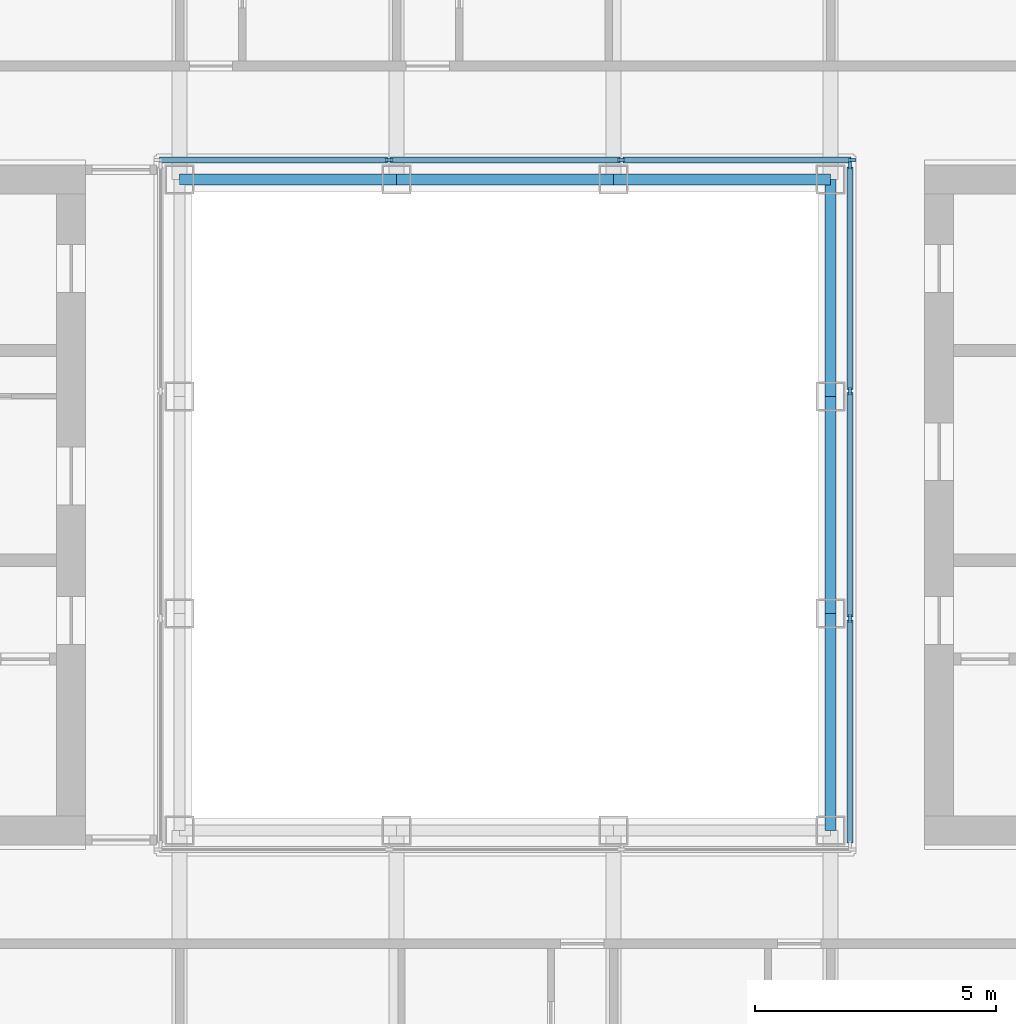
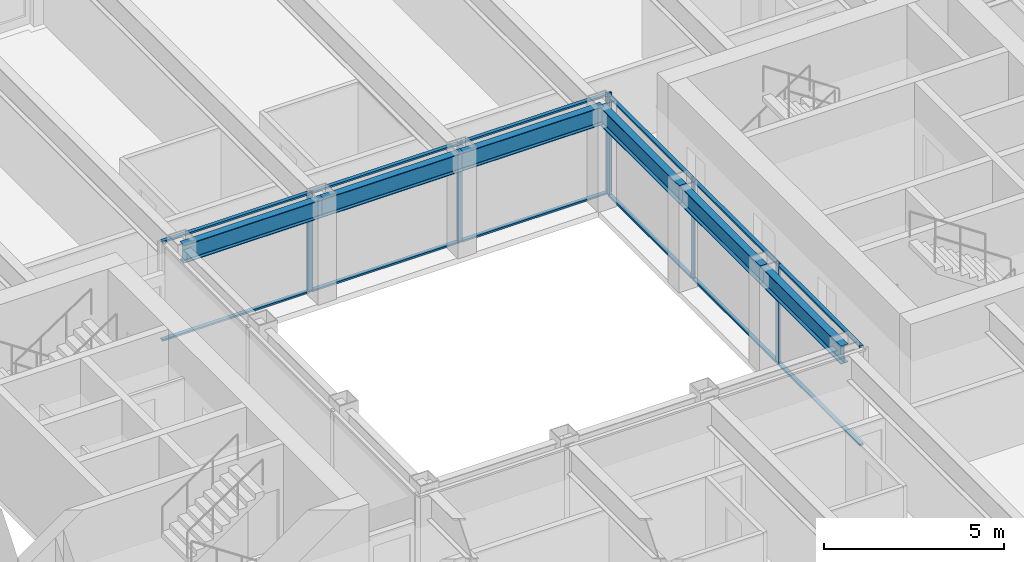
# One storey, part 5 of 17: 18 members, 6 beams, 2 elements without a shape of their own.
"""IFC4 building model written with IfcOpenShell, lengths in metres."""

from ifc_helpers import new_model, si_unit, direction, frame, origin, origin_2d, place, context, subcontext, project, spatial, rectangle, i_section, extrude, material, material_profile, profile_set, type_object, element, aggregate, save


model = new_model("IFC4")

# Units and contexts
model_context = context("Model", 3, precision=1e-05, world=origin(), true_north=direction((0.0, 1.0)))
body_context = subcontext(model_context, "Body", "Model", "MODEL_VIEW")
ifc_project = project(units=[si_unit("LENGTHUNIT", "METRE"), si_unit("AREAUNIT", "SQUARE_METRE"), si_unit("VOLUMEUNIT", "CUBIC_METRE"), si_unit("PLANEANGLEUNIT", "RADIAN"), si_unit("MASSUNIT", "GRAM", prefix="KILO")], contexts=[model_context])

# Site, building, storey
site_placement = place(None, origin())
site = spatial("IfcSite", under=ifc_project, at=site_placement, CompositionType="ELEMENT")
building_placement = place(site_placement, origin())
building = spatial("IfcBuilding", under=site, at=building_placement, Name="Msasa Ring Tower", CompositionType="ELEMENT")
storey_placement = place(building_placement, frame((0.0, 0.0, 161.60009765625)))
storey = spatial("IfcBuildingStorey", under=building, at=storey_placement, Name="L42", CompositionType="ELEMENT", Elevation=161.60009765625)

# Curtain wall, members
ifc_material_1 = material(Name="Aluminium curtain wall with clear glass", Category="aluminium")
curtain_wall_type = type_object("IfcCurtainWallType", Name="CW-W LIGHT WELL CURTAIN WALL", PredefinedType="NOTDEFINED", material=ifc_material_1)
curtain_wall_1_placement = place(storey_placement, origin())
curtain_wall_1 = element("IfcCurtainWall", 1, at=curtain_wall_1_placement, inside=storey, type_object=curtain_wall_type, Name="Light well curtain wall N L42", PredefinedType="NOTDEFINED")
ifc_material_2 = material(Name="Aluminium mullion", Category="aluminium")
ifc_material_profile_1 = material_profile(ifc_material_2, rectangle(XDim=0.06005859375, YDim=0.159912109375, at=origin_2d()), Name="AL 60x160")
ifc_profile_set_1 = profile_set([ifc_material_profile_1], Name="Aluminium mullion")
member_type_1 = type_object("IfcMemberType", Name="CW-W MULLION 60x160", PredefinedType="MULLION", material=ifc_profile_set_1)
member_1_placement = place(storey_placement, frame((-2.409912109375, 7.14990234375, 0.0), z_axis=(0.0, 0.0, 1.0), x_axis=(0.0, 1.0, 0.0)))
member_1 = element("IfcMember", 2, at=member_1_placement, type_object=member_type_1, Name="CW-W mullion 2", PredefinedType="MULLION", context=body_context, shape_type="SweptSolid", body=[
    extrude(rectangle(XDim=0.06005859375, YDim=0.159912109375, at=origin_2d()), origin(), (0.0, 0.0, 1.0), 3.39990234375),
])
member_2_placement = place(storey_placement, frame((2.409912109375, 7.14990234375, 0.0), z_axis=(0.0, 0.0, 1.0), x_axis=(0.0, 1.0, 0.0)))
member_2 = element("IfcMember", 3, at=member_2_placement, type_object=member_type_1, Name="CW-W mullion 3", PredefinedType="MULLION", context=body_context, shape_type="SweptSolid", body=[
    extrude(rectangle(XDim=0.06005859375, YDim=0.159912109375, at=origin_2d()), origin(), (0.0, 0.0, 1.0), 3.39990234375),
])
member_3_placement = place(storey_placement, frame((7.199951171875, 7.14990234375, 0.0), z_axis=(0.0, 0.0, 1.0), x_axis=(0.0, 1.0, 0.0)))
member_3 = element("IfcMember", 4, at=member_3_placement, type_object=member_type_1, Name="CW-W mullion 4", PredefinedType="MULLION", context=body_context, shape_type="SweptSolid", body=[
    extrude(rectangle(XDim=0.06005859375, YDim=0.159912109375, at=origin_2d()), origin(), (0.0, 0.0, 1.0), 3.39990234375),
])

curtain_wall_2_placement = place(storey_placement, origin())
curtain_wall_2 = element("IfcCurtainWall", 5, at=curtain_wall_2_placement, inside=storey, type_object=curtain_wall_type, Name="Light well curtain wall E L42", PredefinedType="NOTDEFINED")
member_4_placement = place(storey_placement, frame((7.14990234375, -2.356689453125, 0.0), z_axis=(0.0, 0.0, 1.0), x_axis=(-1.0, 0.0, 0.0)))
member_4 = element("IfcMember", 6, at=member_4_placement, type_object=member_type_1, Name="CW-W mullion 2", PredefinedType="MULLION", context=body_context, shape_type="SweptSolid", body=[
    extrude(rectangle(XDim=0.06005859375, YDim=0.159912109375, at=origin_2d()), origin(), (0.0, 0.0, 1.0), 3.39990234375),
])
member_5_placement = place(storey_placement, frame((7.14990234375, 2.356689453125, 0.0), z_axis=(0.0, 0.0, 1.0), x_axis=(-1.0, 0.0, 0.0)))
member_5 = element("IfcMember", 7, at=member_5_placement, type_object=member_type_1, Name="CW-W mullion 3", PredefinedType="MULLION", context=body_context, shape_type="SweptSolid", body=[
    extrude(rectangle(XDim=0.06005859375, YDim=0.159912109375, at=origin_2d()), origin(), (0.0, 0.0, 1.0), 3.39990234375),
])
member_6_placement = place(storey_placement, frame((7.14990234375, 7.0400390625, 0.0), z_axis=(0.0, 0.0, 1.0), x_axis=(-1.0, 0.0, 0.0)))
member_6 = element("IfcMember", 8, at=member_6_placement, type_object=member_type_1, Name="CW-W mullion 4", PredefinedType="MULLION", context=body_context, shape_type="SweptSolid", body=[
    extrude(rectangle(XDim=0.06005859375, YDim=0.159912109375, at=origin_2d()), origin(), (0.0, 0.0, 1.0), 3.39990234375),
])

# Member
ifc_material_3 = material(Name="Aluminium transom", Category="aluminium")
ifc_material_profile_2 = material_profile(ifc_material_3, rectangle(XDim=0.1201171875, YDim=0.06005859375, at=origin_2d()), Name="AL 60x120")
ifc_profile_set_2 = profile_set([ifc_material_profile_2], Name="Aluminium transom")
member_type_2 = type_object("IfcMemberType", Name="CW-W TRANSOM 60x120", PredefinedType="USERDEFINED", material=ifc_profile_set_2)
member_7_placement = place(storey_placement, frame((-7.169921875, 7.14990234375, 0.02978515625), z_axis=(1.0, 0.0, 0.0), x_axis=(0.0, 1.0, 0.0)))
member_7 = element("IfcMember", 9, at=member_7_placement, type_object=member_type_2, Name="CW-W transom 1.1", ObjectType="TRANSOM", PredefinedType="USERDEFINED", context=body_context, shape_type="SweptSolid", body=[
    extrude(rectangle(XDim=0.1201171875, YDim=0.06005859375, at=origin_2d()), origin(), (0.0, 0.0, 1.0), 4.72998046875),
])

member_8_placement = place(storey_placement, frame((-7.169921875, 7.14990234375, 3.369873046875), z_axis=(1.0, 0.0, 0.0), x_axis=(0.0, 1.0, 0.0)))
member_8 = element("IfcMember", 10, at=member_8_placement, type_object=member_type_2, Name="CW-W transom 1.2", ObjectType="TRANSOM", PredefinedType="USERDEFINED", context=body_context, shape_type="SweptSolid", body=[
    extrude(rectangle(XDim=0.1201171875, YDim=0.06005859375, at=origin_2d()), origin(), (0.0, 0.0, 1.0), 4.72998046875),
])

member_9_placement = place(storey_placement, frame((-2.3798828125, 7.14990234375, 0.02978515625), z_axis=(1.0, 0.0, 0.0), x_axis=(0.0, 1.0, 0.0)))
member_9 = element("IfcMember", 11, at=member_9_placement, type_object=member_type_2, Name="CW-W transom 2.1", ObjectType="TRANSOM", PredefinedType="USERDEFINED", context=body_context, shape_type="SweptSolid", body=[
    extrude(rectangle(XDim=0.1201171875, YDim=0.06005859375, at=origin_2d()), origin(), (0.0, 0.0, 1.0), 4.759765625),
])

member_10_placement = place(storey_placement, frame((-2.3798828125, 7.14990234375, 3.369873046875), z_axis=(1.0, 0.0, 0.0), x_axis=(0.0, 1.0, 0.0)))
member_10 = element("IfcMember", 12, at=member_10_placement, type_object=member_type_2, Name="CW-W transom 2.2", ObjectType="TRANSOM", PredefinedType="USERDEFINED", context=body_context, shape_type="SweptSolid", body=[
    extrude(rectangle(XDim=0.1201171875, YDim=0.06005859375, at=origin_2d()), origin(), (0.0, 0.0, 1.0), 4.759765625),
])

member_11_placement = place(storey_placement, frame((2.43994140625, 7.14990234375, 0.02978515625), z_axis=(1.0, 0.0, 0.0), x_axis=(0.0, 1.0, 0.0)))
member_11 = element("IfcMember", 13, at=member_11_placement, type_object=member_type_2, Name="CW-W transom 3.1", ObjectType="TRANSOM", PredefinedType="USERDEFINED", context=body_context, shape_type="SweptSolid", body=[
    extrude(rectangle(XDim=0.1201171875, YDim=0.06005859375, at=origin_2d()), origin(), (0.0, 0.0, 1.0), 4.72998046875),
])

member_12_placement = place(storey_placement, frame((2.43994140625, 7.14990234375, 3.369873046875), z_axis=(1.0, 0.0, 0.0), x_axis=(0.0, 1.0, 0.0)))
member_12 = element("IfcMember", 14, at=member_12_placement, type_object=member_type_2, Name="CW-W transom 3.2", ObjectType="TRANSOM", PredefinedType="USERDEFINED", context=body_context, shape_type="SweptSolid", body=[
    extrude(rectangle(XDim=0.1201171875, YDim=0.06005859375, at=origin_2d()), origin(), (0.0, 0.0, 1.0), 4.72998046875),
])

aggregate(curtain_wall_1, [member_1, member_2, member_3, member_7, member_8, member_9, member_10, member_11, member_12])

member_13_placement = place(storey_placement, frame((7.14990234375, -7.010009765625, 0.02978515625), z_axis=(0.0, 1.0, 0.0), x_axis=(-1.0, 0.0, 0.0)))
member_13 = element("IfcMember", 15, at=member_13_placement, type_object=member_type_2, Name="CW-W transom 1.1", ObjectType="TRANSOM", PredefinedType="USERDEFINED", context=body_context, shape_type="SweptSolid", body=[
    extrude(rectangle(XDim=0.1201171875, YDim=0.06005859375, at=origin_2d()), origin(), (0.0, 0.0, 1.0), 4.623291015625),
])

member_14_placement = place(storey_placement, frame((7.14990234375, -7.010009765625, 3.369873046875), z_axis=(0.0, 1.0, 0.0), x_axis=(-1.0, 0.0, 0.0)))
member_14 = element("IfcMember", 16, at=member_14_placement, type_object=member_type_2, Name="CW-W transom 1.2", ObjectType="TRANSOM", PredefinedType="USERDEFINED", context=body_context, shape_type="SweptSolid", body=[
    extrude(rectangle(XDim=0.1201171875, YDim=0.06005859375, at=origin_2d()), origin(), (0.0, 0.0, 1.0), 4.623291015625),
])

member_15_placement = place(storey_placement, frame((7.14990234375, -2.32666015625, 0.02978515625), z_axis=(0.0, 1.0, 0.0), x_axis=(-1.0, 0.0, 0.0)))
member_15 = element("IfcMember", 17, at=member_15_placement, type_object=member_type_2, Name="CW-W transom 2.1", ObjectType="TRANSOM", PredefinedType="USERDEFINED", context=body_context, shape_type="SweptSolid", body=[
    extrude(rectangle(XDim=0.1201171875, YDim=0.06005859375, at=origin_2d()), origin(), (0.0, 0.0, 1.0), 4.6533203125),
])

member_16_placement = place(storey_placement, frame((7.14990234375, -2.32666015625, 3.369873046875), z_axis=(0.0, 1.0, 0.0), x_axis=(-1.0, 0.0, 0.0)))
member_16 = element("IfcMember", 18, at=member_16_placement, type_object=member_type_2, Name="CW-W transom 2.2", ObjectType="TRANSOM", PredefinedType="USERDEFINED", context=body_context, shape_type="SweptSolid", body=[
    extrude(rectangle(XDim=0.1201171875, YDim=0.06005859375, at=origin_2d()), origin(), (0.0, 0.0, 1.0), 4.6533203125),
])

member_17_placement = place(storey_placement, frame((7.14990234375, 2.38671875, 0.02978515625), z_axis=(0.0, 1.0, 0.0), x_axis=(-1.0, 0.0, 0.0)))
member_17 = element("IfcMember", 19, at=member_17_placement, type_object=member_type_2, Name="CW-W transom 3.1", ObjectType="TRANSOM", PredefinedType="USERDEFINED", context=body_context, shape_type="SweptSolid", body=[
    extrude(rectangle(XDim=0.1201171875, YDim=0.06005859375, at=origin_2d()), origin(), (0.0, 0.0, 1.0), 4.623291015625),
])

member_18_placement = place(storey_placement, frame((7.14990234375, 2.38671875, 3.369873046875), z_axis=(0.0, 1.0, 0.0), x_axis=(-1.0, 0.0, 0.0)))
member_18 = element("IfcMember", 20, at=member_18_placement, type_object=member_type_2, Name="CW-W transom 3.2", ObjectType="TRANSOM", PredefinedType="USERDEFINED", context=body_context, shape_type="SweptSolid", body=[
    extrude(rectangle(XDim=0.1201171875, YDim=0.06005859375, at=origin_2d()), origin(), (0.0, 0.0, 1.0), 4.623291015625),
])

aggregate(curtain_wall_2, [member_4, member_5, member_6, member_13, member_14, member_15, member_16, member_17, member_18])

# Beams
ifc_material_4 = material(Name="Steel S355", Category="steel")
ifc_material_profile_3 = material_profile(ifc_material_4, i_section(OverallWidth=0.230224609375, OverallDepth=0.6171875, WebThickness=0.01318359375, FlangeThickness=0.022216796875, FilletRadius=0.0126953125, at=origin_2d()), Name="UB 610x229x140")
ifc_profile_set_3 = profile_set([ifc_material_profile_3], Name="Steel S355")
beam_type = type_object("IfcBeamType", Name="RB1 UB 610x229x140", PredefinedType="BEAM", material=ifc_profile_set_3)
for number, where, z_axis, x_axis, name in (
    (21, (6.75, -6.75, 3.09130859375), (0.0, 1.0, 0.0), (-1.0, 0.0, 0.0), "Inner ring beam IR+6.75-6.75 under L43"),
    (22, (6.75, -2.25, 3.09130859375), (0.0, 1.0, 0.0), (-1.0, 0.0, 0.0), "Inner ring beam IR+6.75-2.25 under L43"),
    (23, (6.75, 2.25, 3.09130859375), (0.0, 1.0, 0.0), (-1.0, 0.0, 0.0), "Inner ring beam IR+6.75+2.25 under L43"),
    (24, (6.75, 6.75, 3.09130859375), (-1.0, 0.0, 0.0), (0.0, -1.0, 0.0), "Inner ring beam IR+6.75+6.75 under L43"),
    (25, (2.25, 6.75, 3.09130859375), (-1.0, 0.0, 0.0), (0.0, -1.0, 0.0), "Inner ring beam IR+2.25+6.75 under L43"),
    (26, (-2.25, 6.75, 3.09130859375), (-1.0, 0.0, 0.0), (0.0, -1.0, 0.0), "Inner ring beam IR-2.25+6.75 under L43"),
):
    element("IfcBeam", number, at=place(storey_placement, frame(where, z_axis=z_axis, x_axis=x_axis)), inside=storey, type_object=beam_type, Name=name, PredefinedType="BEAM", context=body_context, shape_type="SweptSolid", body=[
        extrude(i_section(OverallWidth=0.230224609375, OverallDepth=0.6171875, WebThickness=0.01318359375, FlangeThickness=0.022216796875, FilletRadius=0.0126953125, at=origin_2d()), origin(), (0.0, 0.0, 1.0), 4.5),
    ])

save(model, "model.ifc")
